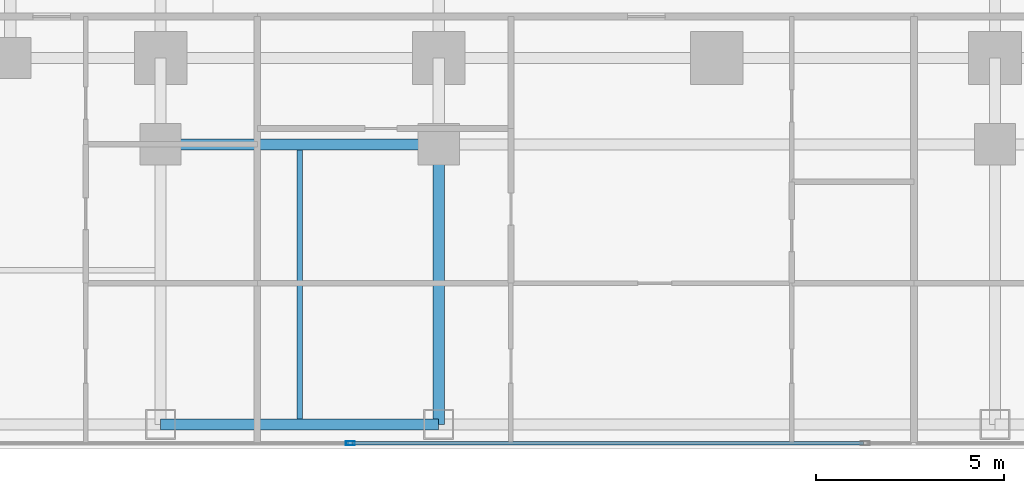
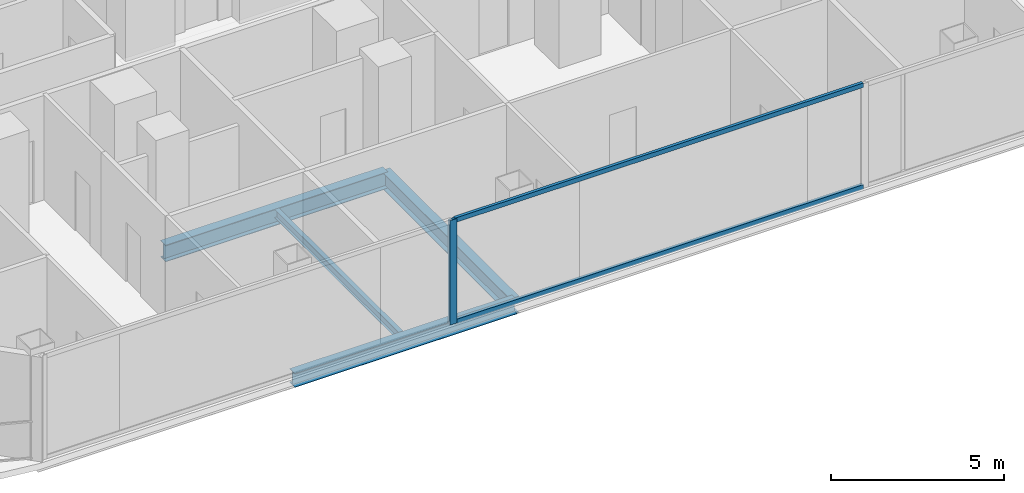
# One storey, part 4 of 29: 4 beams, 3 members, 1 element without a shape of its own.
"""IFC4 building model written with IfcOpenShell, lengths in metres."""

from ifc_helpers import new_model, si_unit, direction, frame, origin, origin_2d, place, context, subcontext, project, spatial, hollow_rectangle, i_section, extrude, material, layer, layer_set, material_profile, profile_set, type_object, element, aggregate, save


model = new_model("IFC4")

# Units and contexts
model_context = context("Model", 3, precision=1e-05, world=origin(), true_north=direction((0.0, 1.0)))
body_context = subcontext(model_context, "Body", "Model", "MODEL_VIEW")
ifc_project = project(units=[si_unit("LENGTHUNIT", "METRE"), si_unit("AREAUNIT", "SQUARE_METRE"), si_unit("VOLUMEUNIT", "CUBIC_METRE"), si_unit("PLANEANGLEUNIT", "RADIAN"), si_unit("MASSUNIT", "GRAM", prefix="KILO")], contexts=[model_context])

# Site, building, storey
site_placement = place(None, origin())
site = spatial("IfcSite", under=ifc_project, at=site_placement, CompositionType="ELEMENT")
building_placement = place(site_placement, origin())
building = spatial("IfcBuilding", under=site, at=building_placement, Name="Khorvyn Point Tower", CompositionType="ELEMENT")
storey_placement = place(building_placement, frame((0.0, 0.0, 61.800048828125)))
storey = spatial("IfcBuildingStorey", under=building, at=storey_placement, Name="L16", CompositionType="ELEMENT", Elevation=61.800048828125)

# Curtain wall, members
ifc_material_1 = material(Name="Anodised aluminium 6063-T6 and laminated Low-E glass", Category="aluminium")
ifc_layer = layer(ifc_material_1, 0.18994140625)
ifc_layer_set = layer_set([ifc_layer], Name="Stick-Built Finned Residential Curtain Wall CW-SYS-02")
curtain_wall_type = type_object("IfcCurtainWallType", Name="Stick-Built Finned Residential Curtain Wall CW-SYS-02", PredefinedType="NOTDEFINED", material=ifc_layer_set)
curtain_wall_placement = place(storey_placement, origin())
curtain_wall = element("IfcCurtainWall", 1, at=curtain_wall_placement, inside=storey, type_object=curtain_wall_type, Name="Curtain Wall", PredefinedType="NOTDEFINED")
ifc_material_2 = material(Name="Anodised aluminium 6063-T6", Category="aluminium")
ifc_material_profile_1 = material_profile(ifc_material_2, hollow_rectangle(XDim=0.10009765625, YDim=0.239990234375, WallThickness=0.0048828125, at=origin_2d()))
ifc_profile_set_1 = profile_set([ifc_material_profile_1], Name="Anodised aluminium 6063-T6 ALU-MUL-100x240")
member_type_1 = type_object("IfcMemberType", Name="Anodised Aluminium 6063-T6 Mullion ALU-MUL-100x240", PredefinedType="MULLION", material=ifc_profile_set_1)
member_1_placement = place(storey_placement, frame((-9.75, -25.050048828125, 0.0), z_axis=(0.0, 0.0, 1.0), x_axis=(0.0, -1.0, 0.0)))
member_1 = element("IfcMember", 2, at=member_1_placement, type_object=member_type_1, Name="Transom", PredefinedType="MULLION", context=body_context, shape_type="SweptSolid", body=[
    extrude(hollow_rectangle(XDim=0.10009765625, YDim=0.239990234375, WallThickness=0.0048828125, at=origin_2d()), origin(), (0.0, 0.0, 1.0), 3.679931640625),
])
ifc_material_profile_2 = material_profile(ifc_material_2, hollow_rectangle(XDim=0.10009765625, YDim=0.159912109375, WallThickness=0.00439453125, at=origin_2d()))
ifc_profile_set_2 = profile_set([ifc_material_profile_2], Name="Anodised aluminium 6063-T6 ALU-TRN-100x160")
member_type_2 = type_object("IfcMemberType", Name="Anodised Aluminium 6063-T6 Transom ALU-TRN-100x160", PredefinedType="USERDEFINED", material=ifc_profile_set_2)
member_2_placement = place(storey_placement, frame((3.89990234375, -25.050048828125, 0.050048828125), z_axis=(-1.0, 0.0, 0.0), x_axis=(0.0, -1.0, 0.0)))
member_2 = element("IfcMember", 3, at=member_2_placement, type_object=member_type_2, Name="Transom", ObjectType="TRANSOM", PredefinedType="USERDEFINED", context=body_context, shape_type="SweptSolid", body=[
    extrude(hollow_rectangle(XDim=0.10009765625, YDim=0.159912109375, WallThickness=0.00439453125, at=origin_2d()), origin(), (0.0, 0.0, 1.0), 13.599853515625),
])
member_3_placement = place(storey_placement, frame((3.89990234375, -25.050048828125, 3.6298828125), z_axis=(-1.0, 0.0, 0.0), x_axis=(0.0, -1.0, 0.0)))
member_3 = element("IfcMember", 4, at=member_3_placement, type_object=member_type_2, Name="Transom", ObjectType="TRANSOM", PredefinedType="USERDEFINED", context=body_context, shape_type="SweptSolid", body=[
    extrude(hollow_rectangle(XDim=0.10009765625, YDim=0.159912109375, WallThickness=0.00439453125, at=origin_2d()), origin(), (0.0, 0.0, 1.0), 13.599853515625),
])
aggregate(curtain_wall, [member_1, member_2, member_3])

# Beams
ifc_material_3 = material(Name="Steel S355", Category="steel")
ifc_material_profile_3 = material_profile(ifc_material_3, i_section(OverallWidth=0.300048828125, OverallDepth=0.587890625, WebThickness=0.011962890625, FlangeThickness=0.02001953125, at=origin_2d()))
ifc_profile_set_3 = profile_set([ifc_material_profile_3], Name="Steel S355 H588x300x12x20")
beam_type_1 = type_object("IfcBeamType", Name="Steel S355 Beam H588x300x12x20", PredefinedType="BEAM", material=ifc_profile_set_3)
beam_1_placement = place(storey_placement, frame((-14.800048828125, -17.10009765625, -0.51416015625), z_axis=(1.0, 0.0, 0.0), x_axis=(0.0, 1.0, 0.0)))
element("IfcBeam", 5, at=beam_1_placement, inside=storey, type_object=beam_type_1, Name="Beam", PredefinedType="BEAM", context=body_context, shape_type="SweptSolid", body=[
    extrude(i_section(OverallWidth=0.300048828125, OverallDepth=0.587890625, WebThickness=0.011962890625, FlangeThickness=0.02001953125, at=origin_2d()), origin(), (0.0, 0.0, 1.0), 7.400146484375),
])
beam_2_placement = place(storey_placement, frame((-7.39990234375, -24.550048828125, -0.51416015625), z_axis=(0.0, 1.0, 0.0), x_axis=(-1.0, 0.0, 0.0)))
element("IfcBeam", 6, at=beam_2_placement, inside=storey, type_object=beam_type_1, Name="Beam", PredefinedType="BEAM", context=body_context, shape_type="SweptSolid", body=[
    extrude(i_section(OverallWidth=0.300048828125, OverallDepth=0.587890625, WebThickness=0.011962890625, FlangeThickness=0.02001953125, at=origin_2d()), origin(), (0.0, 0.0, 1.0), 7.449951171875),
])
ifc_material_profile_4 = material_profile(ifc_material_3, i_section(OverallWidth=0.14990234375, OverallDepth=0.300048828125, WebThickness=0.006591796875, FlangeThickness=0.009033203125, at=origin_2d()))
ifc_profile_set_4 = profile_set([ifc_material_profile_4], Name="Steel S355 H300x150x6.5x9")
beam_type_2 = type_object("IfcBeamType", Name="Steel S355 Joist H300x150x6.5x9", PredefinedType="JOIST", material=ifc_profile_set_4)
beam_3_placement = place(storey_placement, frame((-11.10009765625, -24.39990234375, -0.3701171875), z_axis=(0.0, 1.0, 0.0), x_axis=(-1.0, 0.0, 0.0)))
element("IfcBeam", 7, at=beam_3_placement, inside=storey, type_object=beam_type_2, Name="Beam", PredefinedType="JOIST", context=body_context, shape_type="SweptSolid", body=[
    extrude(i_section(OverallWidth=0.14990234375, OverallDepth=0.300048828125, WebThickness=0.006591796875, FlangeThickness=0.009033203125, at=origin_2d()), origin(), (0.0, 0.0, 1.0), 7.14990234375),
])
ifc_material_profile_5 = material_profile(ifc_material_3, i_section(OverallWidth=0.300048828125, OverallDepth=0.488037109375, WebThickness=0.010986328125, FlangeThickness=0.01806640625, at=origin_2d()))
ifc_profile_set_5 = profile_set([ifc_material_profile_5], Name="Steel S355 H488x300x11x18")
beam_type_3 = type_object("IfcBeamType", Name="Steel S355 Spandrel H488x300x11x18", PredefinedType="SPANDREL", material=ifc_profile_set_5)
beam_4_placement = place(storey_placement, frame((-14.800048828125, -24.550048828125, -0.464111328125), z_axis=(1.0, 0.0, 0.0), x_axis=(0.0, 1.0, 0.0)))
element("IfcBeam", 8, at=beam_4_placement, inside=storey, type_object=beam_type_3, Name="Beam", PredefinedType="SPANDREL", context=body_context, shape_type="SweptSolid", body=[
    extrude(i_section(OverallWidth=0.300048828125, OverallDepth=0.488037109375, WebThickness=0.010986328125, FlangeThickness=0.01806640625, at=origin_2d()), origin(), (0.0, 0.0, 1.0), 7.400146484375),
])

save(model, "model.ifc")
